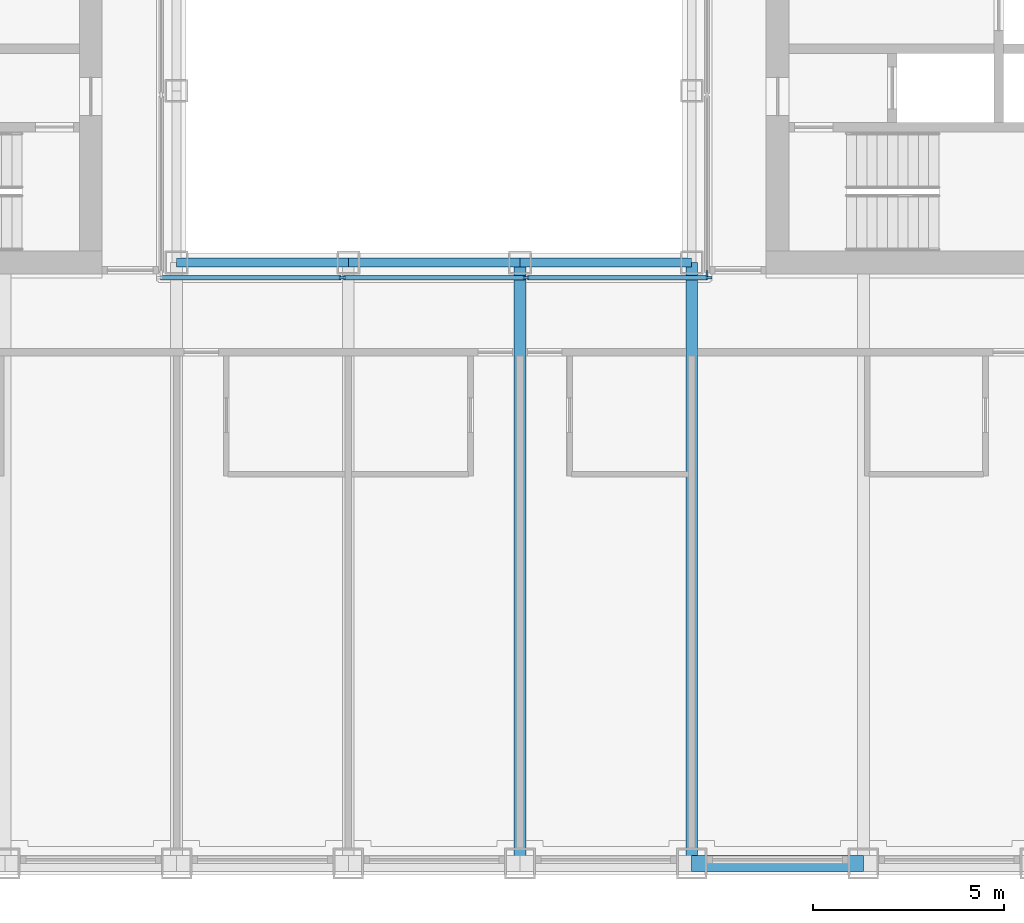
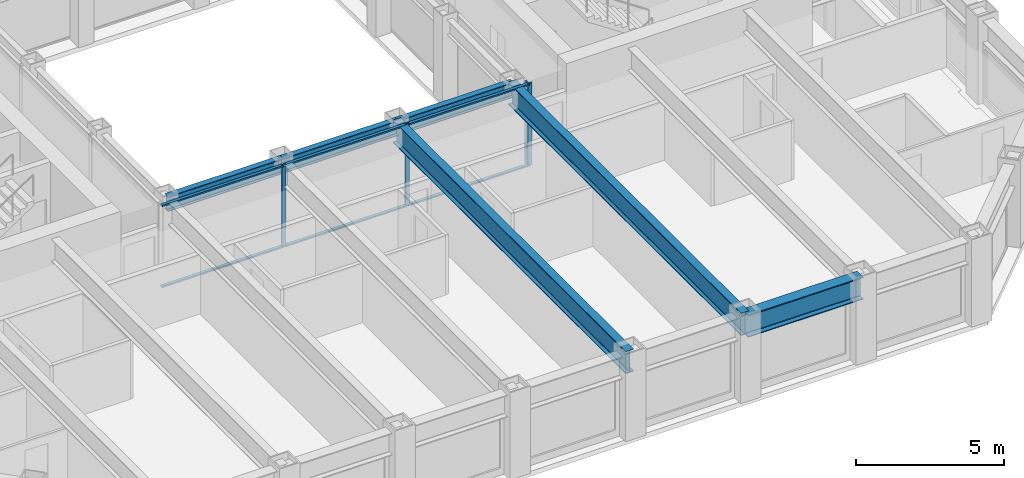
# One storey, part 3 of 17: 10 members, 6 beams, 2 elements without a shape of their own.
"""IFC4 building model written with IfcOpenShell, lengths in metres."""

from ifc_helpers import new_model, si_unit, direction, frame, origin, origin_2d, place, context, subcontext, project, spatial, rectangle, i_section, extrude, material, material_profile, profile_set, type_object, element, aggregate, save


model = new_model("IFC4")

# Units and contexts
model_context = context("Model", 3, precision=1e-05, world=origin(), true_north=direction((0.0, 1.0)))
body_context = subcontext(model_context, "Body", "Model", "MODEL_VIEW")
ifc_project = project(units=[si_unit("LENGTHUNIT", "METRE"), si_unit("AREAUNIT", "SQUARE_METRE"), si_unit("VOLUMEUNIT", "CUBIC_METRE"), si_unit("PLANEANGLEUNIT", "RADIAN"), si_unit("MASSUNIT", "GRAM", prefix="KILO")], contexts=[model_context])

# Site, building, storey
site_placement = place(None, origin())
site = spatial("IfcSite", under=ifc_project, at=site_placement, CompositionType="ELEMENT")
building_placement = place(site_placement, origin())
building = spatial("IfcBuilding", under=site, at=building_placement, Name="Msasa Ring Tower", CompositionType="ELEMENT")
storey_placement = place(building_placement, frame((0.0, 0.0, 150.800048828125)))
storey = spatial("IfcBuildingStorey", under=building, at=storey_placement, Name="L39", CompositionType="ELEMENT", Elevation=150.800048828125)

# Curtain wall, members
ifc_material_1 = material(Name="Aluminium curtain wall with clear glass", Category="aluminium")
curtain_wall_type = type_object("IfcCurtainWallType", Name="CW-W LIGHT WELL CURTAIN WALL", PredefinedType="NOTDEFINED", material=ifc_material_1)
curtain_wall_1_placement = place(storey_placement, origin())
curtain_wall_1 = element("IfcCurtainWall", 1, at=curtain_wall_1_placement, inside=storey, type_object=curtain_wall_type, Name="Light well curtain wall S L39", PredefinedType="NOTDEFINED")
ifc_material_2 = material(Name="Aluminium mullion", Category="aluminium")
ifc_material_profile_1 = material_profile(ifc_material_2, rectangle(XDim=0.06005859375, YDim=0.159912109375, at=origin_2d()), Name="AL 60x160")
ifc_profile_set_1 = profile_set([ifc_material_profile_1], Name="Aluminium mullion")
member_type_1 = type_object("IfcMemberType", Name="CW-W MULLION 60x160", PredefinedType="MULLION", material=ifc_profile_set_1)
member_1_placement = place(storey_placement, frame((-2.409912109375, -7.14990234375, 0.0), z_axis=(0.0, 0.0, 1.0), x_axis=(0.0, 1.0, 0.0)))
member_1 = element("IfcMember", 2, at=member_1_placement, type_object=member_type_1, Name="CW-W mullion 2", PredefinedType="MULLION", context=body_context, shape_type="SweptSolid", body=[
    extrude(rectangle(XDim=0.06005859375, YDim=0.159912109375, at=origin_2d()), origin(), (0.0, 0.0, 1.0), 3.39990234375),
])
member_2_placement = place(storey_placement, frame((2.409912109375, -7.14990234375, 0.0), z_axis=(0.0, 0.0, 1.0), x_axis=(0.0, 1.0, 0.0)))
member_2 = element("IfcMember", 3, at=member_2_placement, type_object=member_type_1, Name="CW-W mullion 3", PredefinedType="MULLION", context=body_context, shape_type="SweptSolid", body=[
    extrude(rectangle(XDim=0.06005859375, YDim=0.159912109375, at=origin_2d()), origin(), (0.0, 0.0, 1.0), 3.39990234375),
])
member_3_placement = place(storey_placement, frame((7.199951171875, -7.14990234375, 0.0), z_axis=(0.0, 0.0, 1.0), x_axis=(0.0, 1.0, 0.0)))
member_3 = element("IfcMember", 4, at=member_3_placement, type_object=member_type_1, Name="CW-W mullion 4", PredefinedType="MULLION", context=body_context, shape_type="SweptSolid", body=[
    extrude(rectangle(XDim=0.06005859375, YDim=0.159912109375, at=origin_2d()), origin(), (0.0, 0.0, 1.0), 3.39990234375),
])

# Curtain wall, member
curtain_wall_2_placement = place(storey_placement, origin())
curtain_wall_2 = element("IfcCurtainWall", 5, at=curtain_wall_2_placement, inside=storey, type_object=curtain_wall_type, Name="Light well curtain wall E L39", PredefinedType="NOTDEFINED")
member_4_placement = place(storey_placement, frame((7.14990234375, -7.0400390625, 0.0), z_axis=(0.0, 0.0, 1.0), x_axis=(-1.0, 0.0, 0.0)))
member_4 = element("IfcMember", 6, at=member_4_placement, type_object=member_type_1, Name="CW-W mullion 1", PredefinedType="MULLION", context=body_context, shape_type="SweptSolid", body=[
    extrude(rectangle(XDim=0.06005859375, YDim=0.159912109375, at=origin_2d()), origin(), (0.0, 0.0, 1.0), 3.39990234375),
])
aggregate(curtain_wall_2, [member_4])

# Member
ifc_material_3 = material(Name="Aluminium transom", Category="aluminium")
ifc_material_profile_2 = material_profile(ifc_material_3, rectangle(XDim=0.1201171875, YDim=0.06005859375, at=origin_2d()), Name="AL 60x120")
ifc_profile_set_2 = profile_set([ifc_material_profile_2], Name="Aluminium transom")
member_type_2 = type_object("IfcMemberType", Name="CW-W TRANSOM 60x120", PredefinedType="USERDEFINED", material=ifc_profile_set_2)
member_5_placement = place(storey_placement, frame((-7.169921875, -7.14990234375, 0.030029296875), z_axis=(1.0, 0.0, 0.0), x_axis=(0.0, 1.0, 0.0)))
member_5 = element("IfcMember", 7, at=member_5_placement, type_object=member_type_2, Name="CW-W transom 1.1", ObjectType="TRANSOM", PredefinedType="USERDEFINED", context=body_context, shape_type="SweptSolid", body=[
    extrude(rectangle(XDim=0.1201171875, YDim=0.06005859375, at=origin_2d()), origin(), (0.0, 0.0, 1.0), 4.72998046875),
])

member_6_placement = place(storey_placement, frame((-7.169921875, -7.14990234375, 3.369873046875), z_axis=(1.0, 0.0, 0.0), x_axis=(0.0, 1.0, 0.0)))
member_6 = element("IfcMember", 8, at=member_6_placement, type_object=member_type_2, Name="CW-W transom 1.2", ObjectType="TRANSOM", PredefinedType="USERDEFINED", context=body_context, shape_type="SweptSolid", body=[
    extrude(rectangle(XDim=0.1201171875, YDim=0.06005859375, at=origin_2d()), origin(), (0.0, 0.0, 1.0), 4.72998046875),
])

member_7_placement = place(storey_placement, frame((-2.3798828125, -7.14990234375, 0.030029296875), z_axis=(1.0, 0.0, 0.0), x_axis=(0.0, 1.0, 0.0)))
member_7 = element("IfcMember", 9, at=member_7_placement, type_object=member_type_2, Name="CW-W transom 2.1", ObjectType="TRANSOM", PredefinedType="USERDEFINED", context=body_context, shape_type="SweptSolid", body=[
    extrude(rectangle(XDim=0.1201171875, YDim=0.06005859375, at=origin_2d()), origin(), (0.0, 0.0, 1.0), 4.759765625),
])

member_8_placement = place(storey_placement, frame((-2.3798828125, -7.14990234375, 3.369873046875), z_axis=(1.0, 0.0, 0.0), x_axis=(0.0, 1.0, 0.0)))
member_8 = element("IfcMember", 10, at=member_8_placement, type_object=member_type_2, Name="CW-W transom 2.2", ObjectType="TRANSOM", PredefinedType="USERDEFINED", context=body_context, shape_type="SweptSolid", body=[
    extrude(rectangle(XDim=0.1201171875, YDim=0.06005859375, at=origin_2d()), origin(), (0.0, 0.0, 1.0), 4.759765625),
])

member_9_placement = place(storey_placement, frame((2.43994140625, -7.14990234375, 0.030029296875), z_axis=(1.0, 0.0, 0.0), x_axis=(0.0, 1.0, 0.0)))
member_9 = element("IfcMember", 11, at=member_9_placement, type_object=member_type_2, Name="CW-W transom 3.1", ObjectType="TRANSOM", PredefinedType="USERDEFINED", context=body_context, shape_type="SweptSolid", body=[
    extrude(rectangle(XDim=0.1201171875, YDim=0.06005859375, at=origin_2d()), origin(), (0.0, 0.0, 1.0), 4.72998046875),
])

member_10_placement = place(storey_placement, frame((2.43994140625, -7.14990234375, 3.369873046875), z_axis=(1.0, 0.0, 0.0), x_axis=(0.0, 1.0, 0.0)))
member_10 = element("IfcMember", 12, at=member_10_placement, type_object=member_type_2, Name="CW-W transom 3.2", ObjectType="TRANSOM", PredefinedType="USERDEFINED", context=body_context, shape_type="SweptSolid", body=[
    extrude(rectangle(XDim=0.1201171875, YDim=0.06005859375, at=origin_2d()), origin(), (0.0, 0.0, 1.0), 4.72998046875),
])

aggregate(curtain_wall_1, [member_1, member_2, member_3, member_5, member_6, member_7, member_8, member_9, member_10])

# Beams
ifc_material_4 = material(Name="Steel S355", Category="steel")
ifc_material_profile_3 = material_profile(ifc_material_4, i_section(OverallWidth=0.3076171875, OverallDepth=0.926513671875, WebThickness=0.01953125, FlangeThickness=0.031982421875, FilletRadius=0.01904296875, at=origin_2d()), Name="UB 914x305x289")
ifc_profile_set_3 = profile_set([ifc_material_profile_3], Name="Steel S355")
beam_type_1 = type_object("IfcBeamType", Name="FB3 UB 914x305x289", PredefinedType="BEAM", material=ifc_profile_set_3)
for number, where, z_axis, x_axis, name in (
    (13, (2.25, -22.5, 2.936767578125), (0.0, 1.0, 0.0), (-1.0, 0.0, 0.0), "Floor beam S+2.25 under L40"),
    (14, (6.75, -22.5, 2.936767578125), (0.0, 1.0, 0.0), (-1.0, 0.0, 0.0), "Floor beam S+6.75 under L40"),
):
    element("IfcBeam", number, at=place(storey_placement, frame(where, z_axis=z_axis, x_axis=x_axis)), inside=storey, type_object=beam_type_1, Name=name, PredefinedType="BEAM", context=body_context, shape_type="SweptSolid", body=[
        extrude(i_section(OverallWidth=0.3076171875, OverallDepth=0.926513671875, WebThickness=0.01953125, FlangeThickness=0.031982421875, FilletRadius=0.01904296875, at=origin_2d()), origin(), (0.0, 0.0, 1.0), 15.75),
    ])
ifc_material_5 = material(Name="Steel S355", Category="steel")
ifc_material_profile_4 = material_profile(ifc_material_5, i_section(OverallWidth=0.230224609375, OverallDepth=0.6171875, WebThickness=0.01318359375, FlangeThickness=0.022216796875, FilletRadius=0.0126953125, at=origin_2d()), Name="UB 610x229x140")
ifc_profile_set_4 = profile_set([ifc_material_profile_4], Name="Steel S355")
beam_type_2 = type_object("IfcBeamType", Name="RB1 UB 610x229x140", PredefinedType="BEAM", material=ifc_profile_set_4)
for number, where, z_axis, x_axis, name in (
    (15, (-6.75, -6.75, 3.09130859375), (1.0, 0.0, 0.0), (0.0, 1.0, 0.0), "Inner ring beam IR-6.75-6.75 under L40"),
    (16, (-2.25, -6.75, 3.09130859375), (1.0, 0.0, 0.0), (0.0, 1.0, 0.0), "Inner ring beam IR-2.25-6.75 under L40"),
    (17, (2.25, -6.75, 3.09130859375), (1.0, 0.0, 0.0), (0.0, 1.0, 0.0), "Inner ring beam IR+2.25-6.75 under L40"),
):
    element("IfcBeam", number, at=place(storey_placement, frame(where, z_axis=z_axis, x_axis=x_axis)), inside=storey, type_object=beam_type_2, Name=name, PredefinedType="BEAM", context=body_context, shape_type="SweptSolid", body=[
        extrude(i_section(OverallWidth=0.230224609375, OverallDepth=0.6171875, WebThickness=0.01318359375, FlangeThickness=0.022216796875, FilletRadius=0.0126953125, at=origin_2d()), origin(), (0.0, 0.0, 1.0), 4.5),
    ])
ifc_material_6 = material(Name="Steel S355", Category="steel")
ifc_material_profile_5 = material_profile(ifc_material_6, i_section(OverallWidth=0.42041015625, OverallDepth=0.9208984375, WebThickness=0.021484375, FlangeThickness=0.03662109375, FilletRadius=0.024169921875, at=origin_2d()), Name="UB 914x419x388")
ifc_profile_set_5 = profile_set([ifc_material_profile_5], Name="Steel S355")
beam_type_3 = type_object("IfcBeamType", Name="SB1 UB 914x419x388", PredefinedType="SPANDREL", material=ifc_profile_set_5)
beam_placement = place(storey_placement, frame((6.75, -22.5, 2.939453125), z_axis=(1.0, 0.0, 0.0), x_axis=(0.0, 1.0, 0.0)))
element("IfcBeam", 18, at=beam_placement, inside=storey, type_object=beam_type_3, Name="Spandrel S+6.75 to S+11.25 under L40", PredefinedType="SPANDREL", context=body_context, shape_type="SweptSolid", body=[
    extrude(i_section(OverallWidth=0.42041015625, OverallDepth=0.9208984375, WebThickness=0.021484375, FlangeThickness=0.03662109375, FilletRadius=0.024169921875, at=origin_2d()), origin(), (0.0, 0.0, 1.0), 4.5),
])

save(model, "model.ifc")
